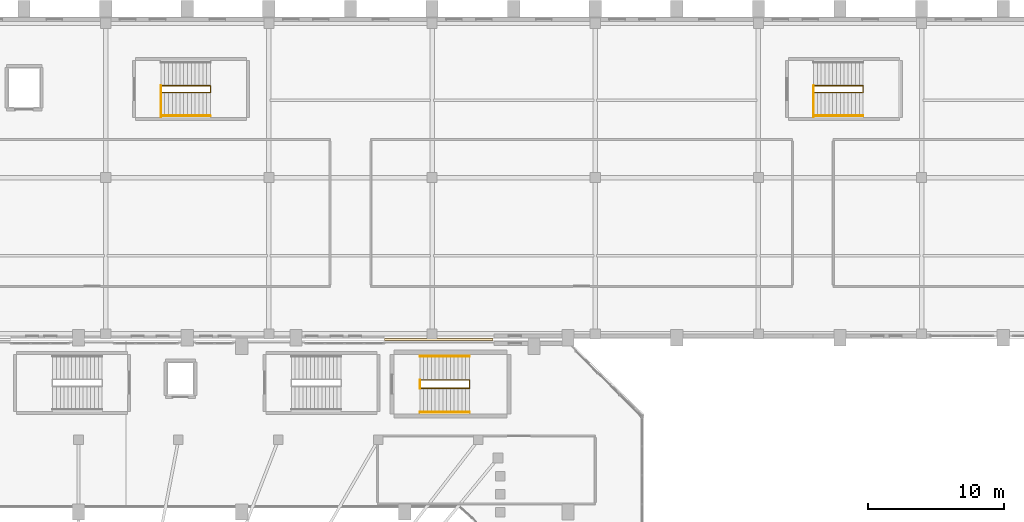
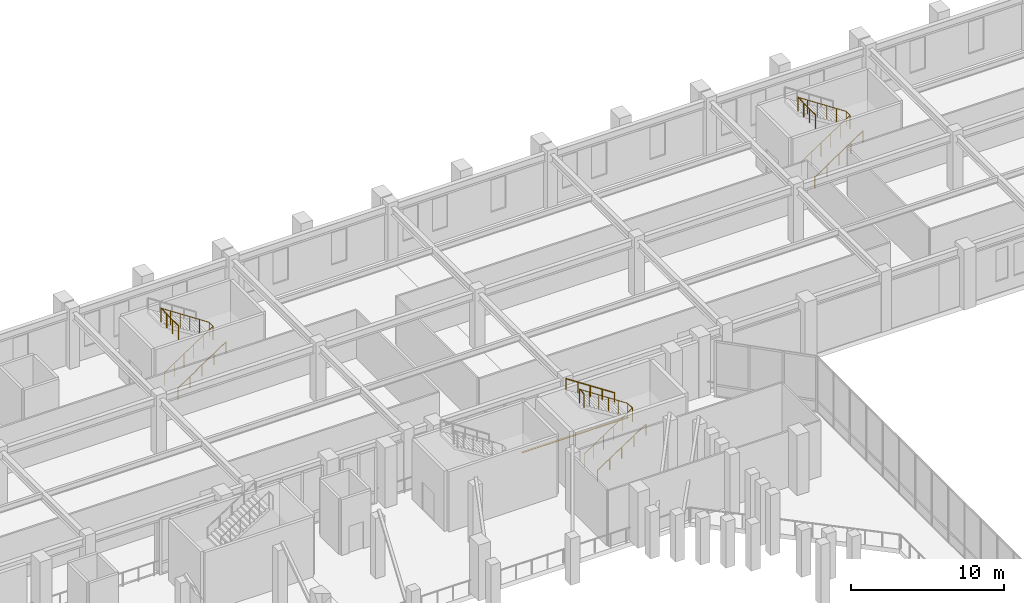
# One storey, part 115 of 126: 10 railings, 1 covering.
"""IFC4 building model written with IfcOpenShell, lengths in metres."""

from ifc_helpers import new_model, si_unit, derived_unit, direction, frame, origin, origin_2d, place, context, subcontext, project, spatial, polyline, circle, outline, extrude, material, layer, layer_set, type_object, element, save


model = new_model("IFC4")

# Units and contexts
model_context = context("Model", 3, precision=1e-05, world=origin(), true_north=direction((0.0, 1.0)))
body_context = subcontext(model_context, "Body", "Model", "MODEL_VIEW")
ifc_project = project(units=[si_unit("LENGTHUNIT", "METRE"), si_unit("AREAUNIT", "SQUARE_METRE"), si_unit("VOLUMEUNIT", "CUBIC_METRE"), si_unit("PLANEANGLEUNIT", "RADIAN"), si_unit("MASSUNIT", "GRAM", prefix="KILO"), derived_unit("THERMALTRANSMITTANCEUNIT", [(si_unit("MASSUNIT", "GRAM", prefix="KILO"), 1), (si_unit("TIMEUNIT", "SECOND"), -3), (si_unit("THERMODYNAMICTEMPERATUREUNIT", "KELVIN"), -1)])], contexts=[model_context])

# Site, building, storey
site_placement = place(None, origin())
site = spatial("IfcSite", under=ifc_project, at=site_placement, CompositionType="ELEMENT")
building_placement = place(site_placement, origin())
building = spatial("IfcBuilding", under=site, at=building_placement, Name="Valcora Ridge Arena", CompositionType="ELEMENT")
storey_placement = place(building_placement, frame((0.0, 0.0, 11.39990234375)))
storey = spatial("IfcBuildingStorey", under=building, at=storey_placement, Name="L02", CompositionType="ELEMENT", Elevation=11.39990234375)

# Covering
ifc_material_1 = material(Name="Steel ASTM A572 Grade 50", Category="steel")
ifc_layer = layer(ifc_material_1, 0.02001953125, Name="Steel ASTM A572 Grade 50")
ifc_layer_set = layer_set([ifc_layer], Name="Steel ASTM A572 Grade 50")
covering_type = type_object("IfcCoveringType", Name="TY-COVERING-COV-SJ-150", PredefinedType="FLOORING", material=ifc_layer_set)
covering_placement = place(storey_placement, frame((0.0, 0.0, -0.02001953125)))
element("IfcCovering", 1, at=covering_placement, inside=storey, type_object=covering_type, Name="COV-SJ-150 COV-SJ-0021", PredefinedType="FLOORING", context=body_context, shape_type="SweptSolid", body=[
    extrude(outline(polyline([(80.5, 108.199951171875), (88.5, 108.199951171875), (88.5, 108.35009765625), (80.5, 108.35009765625), (80.5, 108.199951171875)])), origin(), (0.0, 0.0, 1.0), 0.02001953125),
])

# Railings
ifc_material_2 = material(Name="Galvanized painted steel ASTM A500 Grade B", Category="steel")
railing_type_1 = type_object("IfcRailingType", Name="TY-RAILING-GRD-STAIR-1120", PredefinedType="GUARDRAIL", material=ifc_material_2)
railing_1_placement = place(storey_placement, frame((83.110107421875, 104.699951171875, 0.0)))
element("IfcRailing", 2, at=railing_1_placement, inside=storey, type_object=railing_type_1, Name="GRD-STAIR-1120 RAL-SG-0041", PredefinedType="GUARDRAIL", context=body_context, shape_type="SweptSolid", body=[
    extrude(circle(Radius=0.02392578125, at=origin_2d()), frame((0.0, 0.0, 1.09619140625), z_axis=(0.834839479206, 0.0, 0.550493454965), x_axis=(0.0, 1.0, 0.0)), (0.0, 0.0, 1.0), 4.360107421875),
    extrude(circle(Radius=0.02392578125, at=origin_2d()), frame((3.639892578125, 0.0, 3.49609375), z_axis=(0.0, 1.0, 0.0), x_axis=(-1.0, 0.0, 0.0)), (0.0, 0.0, 1.0), 0.60009765625),
    extrude(circle(Radius=0.02392578125, at=origin_2d()), frame((3.639892578125, 0.60009765625, 3.49609375), z_axis=(-0.834865213223, 0.0, 0.550454426587), x_axis=(0.0, -1.0, 0.0)), (0.0, 0.0, 1.0), 4.35986328125),
    extrude(circle(Radius=0.02099609375, at=origin_2d()), origin(), (0.0, 0.0, 1.0), 1.072021484375),
    extrude(circle(Radius=0.02099609375, at=origin_2d()), frame((0.72802734375, 0.0, 0.47998046875)), (0.0, 0.0, 1.0), 1.072021484375),
    extrude(circle(Radius=0.02099609375, at=origin_2d()), frame((1.4560546875, 0.0, 0.9599609375)), (0.0, 0.0, 1.0), 1.072021484375),
    extrude(circle(Radius=0.02099609375, at=origin_2d()), frame((2.183837890625, 0.0, 1.440185546875)), (0.0, 0.0, 1.0), 1.072021484375),
    extrude(circle(Radius=0.02099609375, at=origin_2d()), frame((2.911865234375, 0.0, 1.920166015625)), (0.0, 0.0, 1.0), 1.072021484375),
    extrude(circle(Radius=0.02099609375, at=origin_2d()), frame((3.639892578125, 0.0, 2.400146484375)), (0.0, 0.0, 1.0), 1.072021484375),
    extrude(circle(Radius=0.02099609375, at=origin_2d()), frame((3.639892578125, 0.60009765625, 2.400146484375)), (0.0, 0.0, 1.0), 1.072021484375),
    extrude(circle(Radius=0.02099609375, at=origin_2d()), frame((2.911865234375, 0.60009765625, 2.880126953125)), (0.0, 0.0, 1.0), 1.072021484375),
    extrude(circle(Radius=0.02099609375, at=origin_2d()), frame((2.183837890625, 0.60009765625, 3.360107421875)), (0.0, 0.0, 1.0), 1.072021484375),
    extrude(circle(Radius=0.02099609375, at=origin_2d()), frame((1.4560546875, 0.60009765625, 3.840087890625)), (0.0, 0.0, 1.0), 1.072021484375),
    extrude(circle(Radius=0.02099609375, at=origin_2d()), frame((0.72802734375, 0.60009765625, 4.320068359375)), (0.0, 0.0, 1.0), 1.072021484375),
    extrude(circle(Radius=0.02099609375, at=origin_2d()), frame((0.0, 0.60009765625, 4.800048828125)), (0.0, 0.0, 1.0), 1.072021484375),
])
railing_2_placement = place(storey_placement, frame((83.110107421875, 104.699951171875, 4.800048828125)))
element("IfcRailing", 3, at=railing_2_placement, inside=storey, type_object=railing_type_1, Name="GRD-STAIR-1120 RAL-SG-0042", PredefinedType="GUARDRAIL", context=body_context, shape_type="SweptSolid", body=[
    extrude(circle(Radius=0.02392578125, at=origin_2d()), frame((0.0, 0.0, 1.09619140625), z_axis=(0.0, 1.0, 0.0), x_axis=(-1.0, 0.0, 0.0)), (0.0, 0.0, 1.0), 0.60009765625),
    extrude(circle(Radius=0.02099609375, at=origin_2d()), origin(), (0.0, 0.0, 1.0), 1.072021484375),
    extrude(circle(Radius=0.02099609375, at=origin_2d()), frame((0.0, 0.60009765625, 0.0)), (0.0, 0.0, 1.0), 1.072021484375),
])
railing_3_placement = place(storey_placement, frame((64.06005859375, 126.449951171875, 0.0)))
element("IfcRailing", 4, at=railing_3_placement, inside=storey, type_object=railing_type_1, Name="GRD-STAIR-1120 RAL-SG-0159", PredefinedType="GUARDRAIL", context=body_context, shape_type="SweptSolid", body=[
    extrude(circle(Radius=0.02392578125, at=origin_2d()), frame((0.0, 0.0, 1.09619140625), z_axis=(0.834839479206, 0.0, 0.550493454965), x_axis=(0.0, 1.0, 0.0)), (0.0, 0.0, 1.0), 4.360107421875),
    extrude(circle(Radius=0.02392578125, at=origin_2d()), frame((3.639892578125, 0.0, 3.49609375), z_axis=(0.0, 1.0, 0.0), x_axis=(-1.0, 0.0, 0.0)), (0.0, 0.0, 1.0), 0.5),
    extrude(circle(Radius=0.02392578125, at=origin_2d()), frame((3.639892578125, 0.5, 3.49609375), z_axis=(-0.834865213223, 0.0, 0.550454426587), x_axis=(0.0, -1.0, 0.0)), (0.0, 0.0, 1.0), 4.35986328125),
    extrude(circle(Radius=0.02099609375, at=origin_2d()), origin(), (0.0, 0.0, 1.0), 1.072021484375),
    extrude(circle(Radius=0.02099609375, at=origin_2d()), frame((0.72802734375, 0.0, 0.47998046875)), (0.0, 0.0, 1.0), 1.072021484375),
    extrude(circle(Radius=0.02099609375, at=origin_2d()), frame((1.4560546875, 0.0, 0.9599609375)), (0.0, 0.0, 1.0), 1.072021484375),
    extrude(circle(Radius=0.02099609375, at=origin_2d()), frame((2.183837890625, 0.0, 1.440185546875)), (0.0, 0.0, 1.0), 1.072021484375),
    extrude(circle(Radius=0.02099609375, at=origin_2d()), frame((2.911865234375, 0.0, 1.920166015625)), (0.0, 0.0, 1.0), 1.072021484375),
    extrude(circle(Radius=0.02099609375, at=origin_2d()), frame((3.639892578125, 0.0, 2.400146484375)), (0.0, 0.0, 1.0), 1.072021484375),
    extrude(circle(Radius=0.02099609375, at=origin_2d()), frame((3.639892578125, 0.5, 2.400146484375)), (0.0, 0.0, 1.0), 1.072021484375),
    extrude(circle(Radius=0.02099609375, at=origin_2d()), frame((2.911865234375, 0.5, 2.880126953125)), (0.0, 0.0, 1.0), 1.072021484375),
    extrude(circle(Radius=0.02099609375, at=origin_2d()), frame((2.183837890625, 0.5, 3.360107421875)), (0.0, 0.0, 1.0), 1.072021484375),
    extrude(circle(Radius=0.02099609375, at=origin_2d()), frame((1.4560546875, 0.5, 3.840087890625)), (0.0, 0.0, 1.0), 1.072021484375),
    extrude(circle(Radius=0.02099609375, at=origin_2d()), frame((0.72802734375, 0.5, 4.320068359375)), (0.0, 0.0, 1.0), 1.072021484375),
    extrude(circle(Radius=0.02099609375, at=origin_2d()), frame((0.0, 0.5, 4.800048828125)), (0.0, 0.0, 1.0), 1.072021484375),
])
railing_4_placement = place(storey_placement, frame((64.06005859375, 124.64990234375, 4.800048828125)))
element("IfcRailing", 5, at=railing_4_placement, inside=storey, type_object=railing_type_1, Name="GRD-STAIR-1120 RAL-SG-0160", PredefinedType="GUARDRAIL", context=body_context, shape_type="SweptSolid", body=[
    extrude(circle(Radius=0.02392578125, at=origin_2d()), frame((0.0, 0.0, 1.09619140625), z_axis=(0.0, 1.0, 0.0), x_axis=(-1.0, 0.0, 0.0)), (0.0, 0.0, 1.0), 2.300048828125),
    extrude(circle(Radius=0.02099609375, at=origin_2d()), origin(), (0.0, 0.0, 1.0), 1.072021484375),
    extrude(circle(Radius=0.02099609375, at=origin_2d()), frame((0.0, 0.7666015625, 0.0)), (0.0, 0.0, 1.0), 1.072021484375),
    extrude(circle(Radius=0.02099609375, at=origin_2d()), frame((0.0, 1.533447265625, 0.0)), (0.0, 0.0, 1.0), 1.072021484375),
    extrude(circle(Radius=0.02099609375, at=origin_2d()), frame((0.0, 2.300048828125, 0.0)), (0.0, 0.0, 1.0), 1.072021484375),
])
railing_5_placement = place(storey_placement, frame((112.06005859375, 126.449951171875, 0.0)))
element("IfcRailing", 6, at=railing_5_placement, inside=storey, type_object=railing_type_1, Name="GRD-STAIR-1120 RAL-SG-0165", PredefinedType="GUARDRAIL", context=body_context, shape_type="SweptSolid", body=[
    extrude(circle(Radius=0.02392578125, at=origin_2d()), frame((0.0, 0.0, 1.09619140625), z_axis=(0.834839479206, 0.0, 0.550493454965), x_axis=(0.0, 1.0, 0.0)), (0.0, 0.0, 1.0), 4.360107421875),
    extrude(circle(Radius=0.02392578125, at=origin_2d()), frame((3.639892578125, 0.0, 3.49609375), z_axis=(0.0, 1.0, 0.0), x_axis=(-1.0, 0.0, 0.0)), (0.0, 0.0, 1.0), 0.5),
    extrude(circle(Radius=0.02392578125, at=origin_2d()), frame((3.639892578125, 0.5, 3.49609375), z_axis=(-0.834865213223, 0.0, 0.550454426587), x_axis=(0.0, -1.0, 0.0)), (0.0, 0.0, 1.0), 4.35986328125),
    extrude(circle(Radius=0.02099609375, at=origin_2d()), origin(), (0.0, 0.0, 1.0), 1.072021484375),
    extrude(circle(Radius=0.02099609375, at=origin_2d()), frame((0.72802734375, 0.0, 0.47998046875)), (0.0, 0.0, 1.0), 1.072021484375),
    extrude(circle(Radius=0.02099609375, at=origin_2d()), frame((1.4560546875, 0.0, 0.9599609375)), (0.0, 0.0, 1.0), 1.072021484375),
    extrude(circle(Radius=0.02099609375, at=origin_2d()), frame((2.183837890625, 0.0, 1.440185546875)), (0.0, 0.0, 1.0), 1.072021484375),
    extrude(circle(Radius=0.02099609375, at=origin_2d()), frame((2.911865234375, 0.0, 1.920166015625)), (0.0, 0.0, 1.0), 1.072021484375),
    extrude(circle(Radius=0.02099609375, at=origin_2d()), frame((3.639892578125, 0.0, 2.400146484375)), (0.0, 0.0, 1.0), 1.072021484375),
    extrude(circle(Radius=0.02099609375, at=origin_2d()), frame((3.639892578125, 0.5, 2.400146484375)), (0.0, 0.0, 1.0), 1.072021484375),
    extrude(circle(Radius=0.02099609375, at=origin_2d()), frame((2.911865234375, 0.5, 2.880126953125)), (0.0, 0.0, 1.0), 1.072021484375),
    extrude(circle(Radius=0.02099609375, at=origin_2d()), frame((2.183837890625, 0.5, 3.360107421875)), (0.0, 0.0, 1.0), 1.072021484375),
    extrude(circle(Radius=0.02099609375, at=origin_2d()), frame((1.4560546875, 0.5, 3.840087890625)), (0.0, 0.0, 1.0), 1.072021484375),
    extrude(circle(Radius=0.02099609375, at=origin_2d()), frame((0.72802734375, 0.5, 4.320068359375)), (0.0, 0.0, 1.0), 1.072021484375),
    extrude(circle(Radius=0.02099609375, at=origin_2d()), frame((0.0, 0.5, 4.800048828125)), (0.0, 0.0, 1.0), 1.072021484375),
])
railing_6_placement = place(storey_placement, frame((112.06005859375, 124.64990234375, 4.800048828125)))
element("IfcRailing", 7, at=railing_6_placement, inside=storey, type_object=railing_type_1, Name="GRD-STAIR-1120 RAL-SG-0166", PredefinedType="GUARDRAIL", context=body_context, shape_type="SweptSolid", body=[
    extrude(circle(Radius=0.02392578125, at=origin_2d()), frame((0.0, 0.0, 1.09619140625), z_axis=(0.0, 1.0, 0.0), x_axis=(-1.0, 0.0, 0.0)), (0.0, 0.0, 1.0), 2.300048828125),
    extrude(circle(Radius=0.02099609375, at=origin_2d()), origin(), (0.0, 0.0, 1.0), 1.072021484375),
    extrude(circle(Radius=0.02099609375, at=origin_2d()), frame((0.0, 0.7666015625, 0.0)), (0.0, 0.0, 1.0), 1.072021484375),
    extrude(circle(Radius=0.02099609375, at=origin_2d()), frame((0.0, 1.533447265625, 0.0)), (0.0, 0.0, 1.0), 1.072021484375),
    extrude(circle(Radius=0.02099609375, at=origin_2d()), frame((0.0, 2.300048828125, 0.0)), (0.0, 0.0, 1.0), 1.072021484375),
])
railing_type_2 = type_object("IfcRailingType", Name="TY-RAILING-HR-STAIR-900", PredefinedType="HANDRAIL", material=ifc_material_2)
railing_7_placement = place(storey_placement, frame((83.110107421875, 102.93994140625, 0.0)))
element("IfcRailing", 8, at=railing_7_placement, inside=storey, type_object=railing_type_2, Name="HR-STAIR-900 RAL-SH-0041", PredefinedType="HANDRAIL", context=body_context, shape_type="SweptSolid", body=[
    extrude(circle(Radius=0.02392578125, at=origin_2d()), frame((0.0, 0.0, 0.8759765625), z_axis=(0.834839479206, 0.0, 0.550493454965), x_axis=(0.0, 1.0, 0.0)), (0.0, 0.0, 1.0), 4.360107421875),
    extrude(circle(Radius=0.02099609375, at=origin_2d()), origin(), (0.0, 0.0, 1.0), 0.851806640625),
    extrude(circle(Radius=0.02099609375, at=origin_2d()), frame((0.909912109375, 0.0, 0.60009765625)), (0.0, 0.0, 1.0), 0.851806640625),
    extrude(circle(Radius=0.02099609375, at=origin_2d()), frame((1.81982421875, 0.0, 1.2001953125)), (0.0, 0.0, 1.0), 0.851806640625),
    extrude(circle(Radius=0.02099609375, at=origin_2d()), frame((2.72998046875, 0.0, 1.800048828125)), (0.0, 0.0, 1.0), 0.851806640625),
    extrude(circle(Radius=0.02099609375, at=origin_2d()), frame((3.639892578125, 0.0, 2.400146484375)), (0.0, 0.0, 1.0), 0.851806640625),
])
railing_8_placement = place(storey_placement, frame((86.75, 107.06005859375, 2.400146484375)))
element("IfcRailing", 9, at=railing_8_placement, inside=storey, type_object=railing_type_2, Name="HR-STAIR-900 RAL-SH-0042", PredefinedType="HANDRAIL", context=body_context, shape_type="SweptSolid", body=[
    extrude(circle(Radius=0.02392578125, at=origin_2d()), frame((0.0, 0.0, 0.8759765625), z_axis=(-0.834865213223, 0.0, 0.550454426587), x_axis=(0.0, -1.0, 0.0)), (0.0, 0.0, 1.0), 4.35986328125),
    extrude(circle(Radius=0.02099609375, at=origin_2d()), origin(), (0.0, 0.0, 1.0), 0.851806640625),
    extrude(circle(Radius=0.02099609375, at=origin_2d()), frame((-0.909912109375, 0.0, 0.60009765625)), (0.0, 0.0, 1.0), 0.851806640625),
    extrude(circle(Radius=0.02099609375, at=origin_2d()), frame((-1.81982421875, 0.0, 1.199951171875)), (0.0, 0.0, 1.0), 0.851806640625),
    extrude(circle(Radius=0.02099609375, at=origin_2d()), frame((-2.72998046875, 0.0, 1.7998046875)), (0.0, 0.0, 1.0), 0.851806640625),
    extrude(circle(Radius=0.02099609375, at=origin_2d()), frame((-3.639892578125, 0.0, 2.39990234375)), (0.0, 0.0, 1.0), 0.851806640625),
])
for number, where, name in (
    (10, (64.06005859375, 124.739990234375, 0.0), "HR-STAIR-900 RAL-SH-0159"),
    (11, (112.06005859375, 124.739990234375, 0.0), "HR-STAIR-900 RAL-SH-0165"),
):
    element("IfcRailing", number, at=place(storey_placement, frame(where)), inside=storey, type_object=railing_type_2, Name=name, PredefinedType="HANDRAIL", context=body_context, shape_type="SweptSolid", body=[
        extrude(circle(Radius=0.02392578125, at=origin_2d()), frame((0.0, 0.0, 0.8759765625), z_axis=(0.834839479206, 0.0, 0.550493454965), x_axis=(0.0, 1.0, 0.0)), (0.0, 0.0, 1.0), 4.360107421875),
        extrude(circle(Radius=0.02099609375, at=origin_2d()), origin(), (0.0, 0.0, 1.0), 0.851806640625),
        extrude(circle(Radius=0.02099609375, at=origin_2d()), frame((0.909912109375, 0.0, 0.60009765625)), (0.0, 0.0, 1.0), 0.851806640625),
        extrude(circle(Radius=0.02099609375, at=origin_2d()), frame((1.81982421875, 0.0, 1.2001953125)), (0.0, 0.0, 1.0), 0.851806640625),
        extrude(circle(Radius=0.02099609375, at=origin_2d()), frame((2.72998046875, 0.0, 1.800048828125)), (0.0, 0.0, 1.0), 0.851806640625),
        extrude(circle(Radius=0.02099609375, at=origin_2d()), frame((3.639892578125, 0.0, 2.400146484375)), (0.0, 0.0, 1.0), 0.851806640625),
    ])

save(model, "model.ifc")
